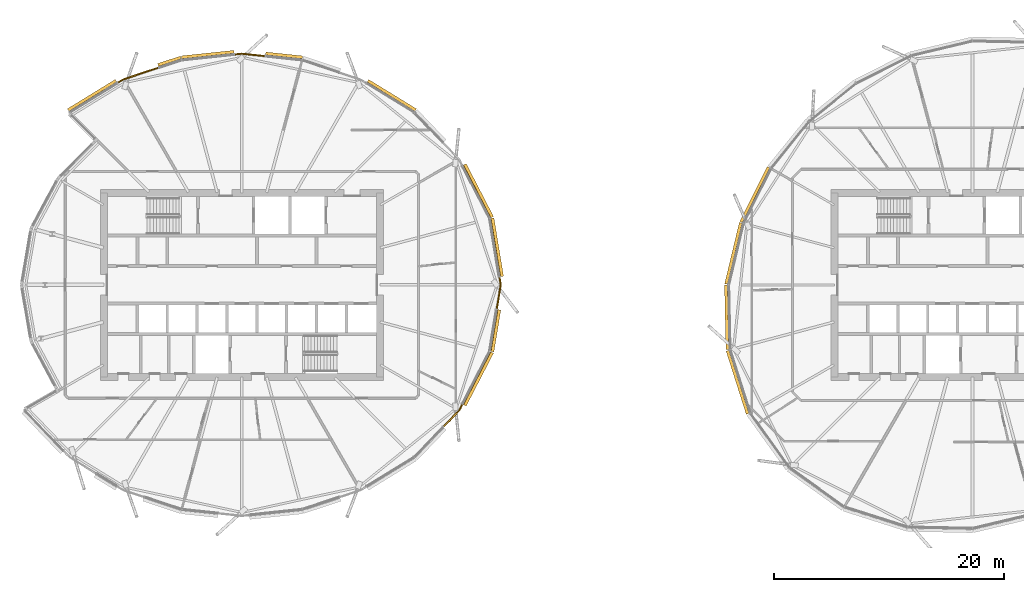
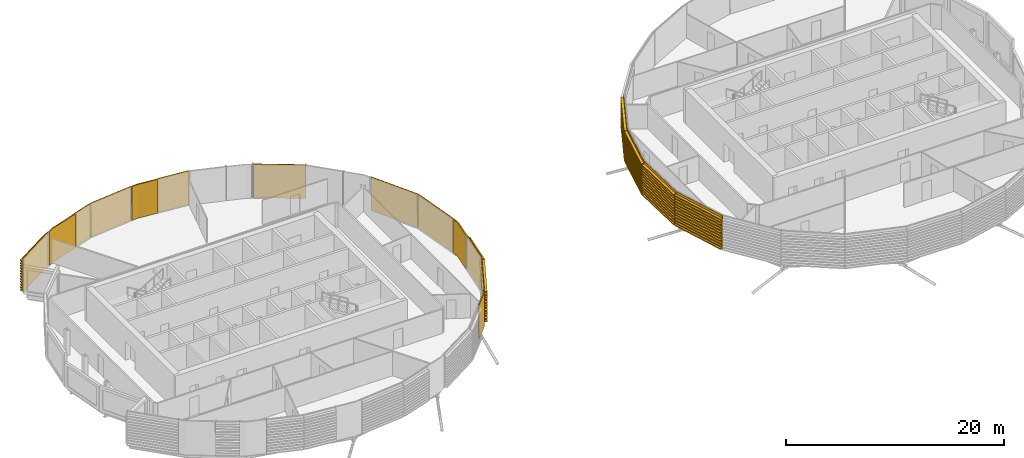
# One storey, part 34 of 37: 17 coverings.
"""IFC4 building model written with IfcOpenShell, lengths in metres."""

from ifc_helpers import new_model, si_unit, direction, frame, origin, place, context, subcontext, project, spatial, polyline, outline, extrude, material, layer, layer_set, material_profile, profile_set, type_object, element, save


model = new_model("IFC4")

# Units and contexts
model_context = context("Model", 3, precision=1e-05, world=origin(), true_north=direction((0.0, 1.0)))
body_context = subcontext(model_context, "Body", "Model", "MODEL_VIEW")
ifc_project = project(units=[si_unit("LENGTHUNIT", "METRE"), si_unit("AREAUNIT", "SQUARE_METRE"), si_unit("VOLUMEUNIT", "CUBIC_METRE"), si_unit("PLANEANGLEUNIT", "RADIAN"), si_unit("MASSUNIT", "GRAM", prefix="KILO")], contexts=[model_context])

# Site, building, storey
site_placement = place(None, origin())
site = spatial("IfcSite", under=ifc_project, at=site_placement, CompositionType="ELEMENT")
building_placement = place(site_placement, origin())
building = spatial("IfcBuilding", under=site, at=building_placement, Name="Rimbun Link Towers", CompositionType="ELEMENT")
storey_placement = place(building_placement, frame((0.0, 0.0, 166.5)))
storey = spatial("IfcBuildingStorey", under=building, at=storey_placement, Name="L40", CompositionType="ELEMENT", Elevation=166.5)

# Coverings
ifc_material_1 = material(Name="Terracotta", Category="masonry")
ifc_layer = layer(ifc_material_1, 0.1201171875)
ifc_layer_set = layer_set([ifc_layer], Name="LINK PIER terracotta cladding 120")
covering_type_1 = type_object("IfcCoveringType", Name="LINK PIER terracotta cladding 120", PredefinedType="CLADDING", material=ifc_layer_set)
covering_1_placement = place(storey_placement, origin())
element("IfcCovering", 1, at=covering_1_placement, inside=storey, type_object=covering_type_1, Name="LINK PIER cladding", PredefinedType="CLADDING", context=body_context, shape_type="SweptSolid", body=[
    extrude(outline(polyline([(-9.422607421875, 0.6611328125), (-9.31396484375, 0.0), (-9.657958984375, -2.091796875), (-9.53955078125, -2.111328125), (-9.1923828125, 0.0), (-9.30419921875, 0.6806640625), (-9.422607421875, 0.6611328125)])), origin(), (0.0, 0.0, 1.0), 3.800048828125),
])
covering_2_placement = place(storey_placement, origin())
element("IfcCovering", 2, at=covering_2_placement, inside=storey, type_object=covering_type_1, Name="LINK PIER cladding", PredefinedType="CLADDING", context=body_context, shape_type="SweptSolid", body=[
    extrude(outline(polyline([(-32.36669921875, 19.967041015625), (-31.75, 20.031982421875), (-29.7412109375, 19.820556640625), (-29.728515625, 19.93994140625), (-31.75, 20.15283203125), (-32.379150390625, 20.08642578125), (-32.36669921875, 19.967041015625)])), origin(), (0.0, 0.0, 1.0), 3.800048828125),
])
covering_3_placement = place(storey_placement, origin())
element("IfcCovering", 3, at=covering_3_placement, inside=storey, type_object=covering_type_1, Name="LINK PIER cladding", PredefinedType="CLADDING", context=body_context, shape_type="SweptSolid", body=[
    extrude(outline(polyline([(-42.515869140625, 17.50732421875), (-42.030029296875, 17.8056640625), (-38.9736328125, 18.818359375), (-39.01123046875, 18.932373046875), (-42.0810546875, 17.9150390625), (-42.57861328125, 17.609619140625), (-42.515869140625, 17.50732421875)])), origin(), (0.0, 0.0, 1.0), 3.800048828125),
])
covering_4_placement = place(storey_placement, origin())
element("IfcCovering", 4, at=covering_4_placement, inside=storey, type_object=covering_type_1, Name="LINK PIER cladding", PredefinedType="CLADDING", context=body_context, shape_type="SweptSolid", body=[
    extrude(outline(polyline([(-12.64794921875, -10.37109375), (-12.909912109375, -10.87744140625), (-14.273193359375, -12.299560546875), (-14.1865234375, -12.382568359375), (-12.811279296875, -10.947998046875), (-12.541259765625, -10.42626953125), (-12.64794921875, -10.37109375)])), origin(), (0.0, 0.0, 1.0), 3.800048828125),
])
ifc_material_2 = material(Name="Terracotta", Category="masonry")
ifc_material_profile = material_profile(ifc_material_2, outline(polyline([(0.123046875, 0.0), (0.1630859375, 0.0), (0.1630859375, 0.10009765625), (0.423095703125, 0.10009765625), (0.423095703125, 0.219970703125), (0.1630859375, 0.219970703125), (0.1630859375, 0.39990234375), (0.423095703125, 0.39990234375), (0.423095703125, 0.52001953125), (0.1630859375, 0.52001953125), (0.1630859375, 0.699951171875), (0.423095703125, 0.699951171875), (0.423095703125, 0.820068359375), (0.1630859375, 0.820068359375), (0.1630859375, 1.0), (0.423095703125, 1.0), (0.423095703125, 1.1201171875), (0.1630859375, 1.1201171875), (0.1630859375, 1.300048828125), (0.423095703125, 1.300048828125), (0.423095703125, 1.419921875), (0.1630859375, 1.419921875), (0.1630859375, 1.60009765625), (0.423095703125, 1.60009765625), (0.423095703125, 1.719970703125), (0.1630859375, 1.719970703125), (0.1630859375, 1.89990234375), (0.423095703125, 1.89990234375), (0.423095703125, 2.02001953125), (0.1630859375, 2.02001953125), (0.1630859375, 2.199951171875), (0.423095703125, 2.199951171875), (0.423095703125, 2.320068359375), (0.1630859375, 2.320068359375), (0.1630859375, 2.5), (0.423095703125, 2.5), (0.423095703125, 2.6201171875), (0.1630859375, 2.6201171875), (0.1630859375, 2.800048828125), (0.423095703125, 2.800048828125), (0.423095703125, 2.919921875), (0.1630859375, 2.919921875), (0.1630859375, 3.10009765625), (0.423095703125, 3.10009765625), (0.423095703125, 3.219970703125), (0.1630859375, 3.219970703125), (0.1630859375, 3.39990234375), (0.423095703125, 3.39990234375), (0.423095703125, 3.52001953125), (0.1630859375, 3.52001953125), (0.1630859375, 3.800048828125), (0.123046875, 3.800048828125), (0.123046875, 0.0)])), Name="BAGUETTE 120X300")
ifc_profile_set = profile_set([ifc_material_profile], Name="Terracotta")
covering_type_2 = type_object("IfcCoveringType", Name="TERRACOTTA BAGUETTE 120X300 H3800", PredefinedType="CLADDING", material=ifc_profile_set)
covering_5_placement = place(storey_placement, frame((-10.2607421875, 5.758056640625, 0.0), z_axis=(0.162255426092, -0.986748791083, 0.0), x_axis=(0.986748791083, 0.162255426092, 0.0)))
element("IfcCovering", 5, at=covering_5_placement, inside=storey, type_object=covering_type_2, Name="TERRACOTTA BAGUETTE", PredefinedType="CLADDING", context=body_context, shape_type="SweptSolid", body=[
    extrude(outline(polyline([(0.123046875, 0.0), (0.1630859375, 0.0), (0.1630859375, 0.10009765625), (0.423095703125, 0.10009765625), (0.423095703125, 0.219970703125), (0.1630859375, 0.219970703125), (0.1630859375, 0.39990234375), (0.423095703125, 0.39990234375), (0.423095703125, 0.52001953125), (0.1630859375, 0.52001953125), (0.1630859375, 0.699951171875), (0.423095703125, 0.699951171875), (0.423095703125, 0.820068359375), (0.1630859375, 0.820068359375), (0.1630859375, 1.0), (0.423095703125, 1.0), (0.423095703125, 1.1201171875), (0.1630859375, 1.1201171875), (0.1630859375, 1.300048828125), (0.423095703125, 1.300048828125), (0.423095703125, 1.419921875), (0.1630859375, 1.419921875), (0.1630859375, 1.60009765625), (0.423095703125, 1.60009765625), (0.423095703125, 1.719970703125), (0.1630859375, 1.719970703125), (0.1630859375, 1.89990234375), (0.423095703125, 1.89990234375), (0.423095703125, 2.02001953125), (0.1630859375, 2.02001953125), (0.1630859375, 2.199951171875), (0.423095703125, 2.199951171875), (0.423095703125, 2.320068359375), (0.1630859375, 2.320068359375), (0.1630859375, 2.5), (0.423095703125, 2.5), (0.423095703125, 2.6201171875), (0.1630859375, 2.6201171875), (0.1630859375, 2.800048828125), (0.423095703125, 2.800048828125), (0.423095703125, 2.919921875), (0.1630859375, 2.919921875), (0.1630859375, 3.10009765625), (0.423095703125, 3.10009765625), (0.423095703125, 3.219970703125), (0.1630859375, 3.219970703125), (0.1630859375, 3.39990234375), (0.423095703125, 3.39990234375), (0.423095703125, 3.52001953125), (0.1630859375, 3.52001953125), (0.1630859375, 3.800048828125), (0.123046875, 3.800048828125), (0.123046875, 0.0)])), origin(), (0.0, 0.0, 1.0), 5.135498046875),
])
covering_6_placement = place(storey_placement, frame((-12.634033203125, 10.344482421875, 0.0), z_axis=(0.459575962329, -0.888138466034, 0.0), x_axis=(0.888138466034, 0.459575962329, 0.0)))
element("IfcCovering", 6, at=covering_6_placement, inside=storey, type_object=covering_type_2, Name="TERRACOTTA BAGUETTE", PredefinedType="CLADDING", context=body_context, shape_type="SweptSolid", body=[
    extrude(outline(polyline([(0.123046875, 0.0), (0.1630859375, 0.0), (0.1630859375, 0.10009765625), (0.423095703125, 0.10009765625), (0.423095703125, 0.219970703125), (0.1630859375, 0.219970703125), (0.1630859375, 0.39990234375), (0.423095703125, 0.39990234375), (0.423095703125, 0.52001953125), (0.1630859375, 0.52001953125), (0.1630859375, 0.699951171875), (0.423095703125, 0.699951171875), (0.423095703125, 0.820068359375), (0.1630859375, 0.820068359375), (0.1630859375, 1.0), (0.423095703125, 1.0), (0.423095703125, 1.1201171875), (0.1630859375, 1.1201171875), (0.1630859375, 1.300048828125), (0.423095703125, 1.300048828125), (0.423095703125, 1.419921875), (0.1630859375, 1.419921875), (0.1630859375, 1.60009765625), (0.423095703125, 1.60009765625), (0.423095703125, 1.719970703125), (0.1630859375, 1.719970703125), (0.1630859375, 1.89990234375), (0.423095703125, 1.89990234375), (0.423095703125, 2.02001953125), (0.1630859375, 2.02001953125), (0.1630859375, 2.199951171875), (0.423095703125, 2.199951171875), (0.423095703125, 2.320068359375), (0.1630859375, 2.320068359375), (0.1630859375, 2.5), (0.423095703125, 2.5), (0.423095703125, 2.6201171875), (0.1630859375, 2.6201171875), (0.1630859375, 2.800048828125), (0.423095703125, 2.800048828125), (0.423095703125, 2.919921875), (0.1630859375, 2.919921875), (0.1630859375, 3.10009765625), (0.423095703125, 3.10009765625), (0.423095703125, 3.219970703125), (0.1630859375, 3.219970703125), (0.1630859375, 3.39990234375), (0.423095703125, 3.39990234375), (0.423095703125, 3.52001953125), (0.1630859375, 3.52001953125), (0.1630859375, 3.800048828125), (0.123046875, 3.800048828125), (0.123046875, 0.0)])), origin(), (0.0, 0.0, 1.0), 5.1640625),
])
covering_7_placement = place(storey_placement, frame((-20.95849609375, 17.49169921875, 0.0), z_axis=(0.852158679137, -0.523283465792, 0.0), x_axis=(0.523283465792, 0.852158679137, 0.0)))
element("IfcCovering", 7, at=covering_7_placement, inside=storey, type_object=covering_type_2, Name="TERRACOTTA BAGUETTE", PredefinedType="CLADDING", context=body_context, shape_type="SweptSolid", body=[
    extrude(outline(polyline([(0.123046875, 0.0), (0.1630859375, 0.0), (0.1630859375, 0.10009765625), (0.423095703125, 0.10009765625), (0.423095703125, 0.219970703125), (0.1630859375, 0.219970703125), (0.1630859375, 0.39990234375), (0.423095703125, 0.39990234375), (0.423095703125, 0.52001953125), (0.1630859375, 0.52001953125), (0.1630859375, 0.699951171875), (0.423095703125, 0.699951171875), (0.423095703125, 0.820068359375), (0.1630859375, 0.820068359375), (0.1630859375, 1.0), (0.423095703125, 1.0), (0.423095703125, 1.1201171875), (0.1630859375, 1.1201171875), (0.1630859375, 1.300048828125), (0.423095703125, 1.300048828125), (0.423095703125, 1.419921875), (0.1630859375, 1.419921875), (0.1630859375, 1.60009765625), (0.423095703125, 1.60009765625), (0.423095703125, 1.719970703125), (0.1630859375, 1.719970703125), (0.1630859375, 1.89990234375), (0.423095703125, 1.89990234375), (0.423095703125, 2.02001953125), (0.1630859375, 2.02001953125), (0.1630859375, 2.199951171875), (0.423095703125, 2.199951171875), (0.423095703125, 2.320068359375), (0.1630859375, 2.320068359375), (0.1630859375, 2.5), (0.423095703125, 2.5), (0.423095703125, 2.6201171875), (0.1630859375, 2.6201171875), (0.1630859375, 2.800048828125), (0.423095703125, 2.800048828125), (0.423095703125, 2.919921875), (0.1630859375, 2.919921875), (0.1630859375, 3.10009765625), (0.423095703125, 3.10009765625), (0.423095703125, 3.219970703125), (0.1630859375, 3.219970703125), (0.1630859375, 3.39990234375), (0.423095703125, 3.39990234375), (0.423095703125, 3.52001953125), (0.1630859375, 3.52001953125), (0.1630859375, 3.800048828125), (0.123046875, 3.800048828125), (0.123046875, 0.0)])), origin(), (0.0, 0.0, 1.0), 4.871337890625),
])
covering_8_placement = place(storey_placement, frame((-29.711181640625, 19.8173828125, 0.0), z_axis=(0.994502943543, -0.104708620869, 0.0), x_axis=(0.104708620869, 0.994502943543, 0.0)))
element("IfcCovering", 8, at=covering_8_placement, inside=storey, type_object=covering_type_2, Name="TERRACOTTA BAGUETTE", PredefinedType="CLADDING", context=body_context, shape_type="SweptSolid", body=[
    extrude(outline(polyline([(0.123046875, 0.0), (0.1630859375, 0.0), (0.1630859375, 0.10009765625), (0.423095703125, 0.10009765625), (0.423095703125, 0.219970703125), (0.1630859375, 0.219970703125), (0.1630859375, 0.39990234375), (0.423095703125, 0.39990234375), (0.423095703125, 0.52001953125), (0.1630859375, 0.52001953125), (0.1630859375, 0.699951171875), (0.423095703125, 0.699951171875), (0.423095703125, 0.820068359375), (0.1630859375, 0.820068359375), (0.1630859375, 1.0), (0.423095703125, 1.0), (0.423095703125, 1.1201171875), (0.1630859375, 1.1201171875), (0.1630859375, 1.300048828125), (0.423095703125, 1.300048828125), (0.423095703125, 1.419921875), (0.1630859375, 1.419921875), (0.1630859375, 1.60009765625), (0.423095703125, 1.60009765625), (0.423095703125, 1.719970703125), (0.1630859375, 1.719970703125), (0.1630859375, 1.89990234375), (0.423095703125, 1.89990234375), (0.423095703125, 2.02001953125), (0.1630859375, 2.02001953125), (0.1630859375, 2.199951171875), (0.423095703125, 2.199951171875), (0.423095703125, 2.320068359375), (0.1630859375, 2.320068359375), (0.1630859375, 2.5), (0.423095703125, 2.5), (0.423095703125, 2.6201171875), (0.1630859375, 2.6201171875), (0.1630859375, 2.800048828125), (0.423095703125, 2.800048828125), (0.423095703125, 2.919921875), (0.1630859375, 2.919921875), (0.1630859375, 3.10009765625), (0.423095703125, 3.10009765625), (0.423095703125, 3.219970703125), (0.1630859375, 3.219970703125), (0.1630859375, 3.39990234375), (0.423095703125, 3.39990234375), (0.423095703125, 3.52001953125), (0.1630859375, 3.52001953125), (0.1630859375, 3.800048828125), (0.123046875, 3.800048828125), (0.123046875, 0.0)])), origin(), (0.0, 0.0, 1.0), 3.198974609375),
])
covering_9_placement = place(storey_placement, frame((-36.97021484375, 19.482421875, 0.0), z_axis=(0.994499924847, 0.104737287911, 0.0), x_axis=(-0.104737287911, 0.994499924847, 0.0)))
element("IfcCovering", 9, at=covering_9_placement, inside=storey, type_object=covering_type_2, Name="TERRACOTTA BAGUETTE", PredefinedType="CLADDING", context=body_context, shape_type="SweptSolid", body=[
    extrude(outline(polyline([(0.123046875, 0.0), (0.1630859375, 0.0), (0.1630859375, 0.10009765625), (0.423095703125, 0.10009765625), (0.423095703125, 0.219970703125), (0.1630859375, 0.219970703125), (0.1630859375, 0.39990234375), (0.423095703125, 0.39990234375), (0.423095703125, 0.52001953125), (0.1630859375, 0.52001953125), (0.1630859375, 0.699951171875), (0.423095703125, 0.699951171875), (0.423095703125, 0.820068359375), (0.1630859375, 0.820068359375), (0.1630859375, 1.0), (0.423095703125, 1.0), (0.423095703125, 1.1201171875), (0.1630859375, 1.1201171875), (0.1630859375, 1.300048828125), (0.423095703125, 1.300048828125), (0.423095703125, 1.419921875), (0.1630859375, 1.419921875), (0.1630859375, 1.60009765625), (0.423095703125, 1.60009765625), (0.423095703125, 1.719970703125), (0.1630859375, 1.719970703125), (0.1630859375, 1.89990234375), (0.423095703125, 1.89990234375), (0.423095703125, 2.02001953125), (0.1630859375, 2.02001953125), (0.1630859375, 2.199951171875), (0.423095703125, 2.199951171875), (0.423095703125, 2.320068359375), (0.1630859375, 2.320068359375), (0.1630859375, 2.5), (0.423095703125, 2.5), (0.423095703125, 2.6201171875), (0.1630859375, 2.6201171875), (0.1630859375, 2.800048828125), (0.423095703125, 2.800048828125), (0.423095703125, 2.919921875), (0.1630859375, 2.919921875), (0.1630859375, 3.10009765625), (0.423095703125, 3.10009765625), (0.423095703125, 3.219970703125), (0.1630859375, 3.219970703125), (0.1630859375, 3.39990234375), (0.423095703125, 3.39990234375), (0.423095703125, 3.52001953125), (0.1630859375, 3.52001953125), (0.1630859375, 3.800048828125), (0.123046875, 3.800048828125), (0.123046875, 0.0)])), origin(), (0.0, 0.0, 1.0), 4.59912109375),
])
covering_10_placement = place(storey_placement, frame((-38.945068359375, 18.827880859375, 0.0), z_axis=(0.949221713149, 0.31460791358, 0.0), x_axis=(-0.31460791358, 0.949221713149, 0.0)))
element("IfcCovering", 10, at=covering_10_placement, inside=storey, type_object=covering_type_2, Name="TERRACOTTA BAGUETTE", PredefinedType="CLADDING", context=body_context, shape_type="SweptSolid", body=[
    extrude(outline(polyline([(0.123046875, 0.0), (0.1630859375, 0.0), (0.1630859375, 0.10009765625), (0.423095703125, 0.10009765625), (0.423095703125, 0.219970703125), (0.1630859375, 0.219970703125), (0.1630859375, 0.39990234375), (0.423095703125, 0.39990234375), (0.423095703125, 0.52001953125), (0.1630859375, 0.52001953125), (0.1630859375, 0.699951171875), (0.423095703125, 0.699951171875), (0.423095703125, 0.820068359375), (0.1630859375, 0.820068359375), (0.1630859375, 1.0), (0.423095703125, 1.0), (0.423095703125, 1.1201171875), (0.1630859375, 1.1201171875), (0.1630859375, 1.300048828125), (0.423095703125, 1.300048828125), (0.423095703125, 1.419921875), (0.1630859375, 1.419921875), (0.1630859375, 1.60009765625), (0.423095703125, 1.60009765625), (0.423095703125, 1.719970703125), (0.1630859375, 1.719970703125), (0.1630859375, 1.89990234375), (0.423095703125, 1.89990234375), (0.423095703125, 2.02001953125), (0.1630859375, 2.02001953125), (0.1630859375, 2.199951171875), (0.423095703125, 2.199951171875), (0.423095703125, 2.320068359375), (0.1630859375, 2.320068359375), (0.1630859375, 2.5), (0.423095703125, 2.5), (0.423095703125, 2.6201171875), (0.1630859375, 2.6201171875), (0.1630859375, 2.800048828125), (0.423095703125, 2.800048828125), (0.423095703125, 2.919921875), (0.1630859375, 2.919921875), (0.1630859375, 3.10009765625), (0.423095703125, 3.10009765625), (0.423095703125, 3.219970703125), (0.1630859375, 3.219970703125), (0.1630859375, 3.39990234375), (0.423095703125, 3.39990234375), (0.423095703125, 3.52001953125), (0.1630859375, 3.52001953125), (0.1630859375, 3.800048828125), (0.123046875, 3.800048828125), (0.123046875, 0.0)])), origin(), (0.0, 0.0, 1.0), 2.08056640625),
])
covering_11_placement = place(storey_placement, frame((-46.692626953125, 14.942626953125, 0.0), z_axis=(0.852158679137, 0.523283465792, 0.0), x_axis=(-0.523283465792, 0.852158679137, 0.0)))
element("IfcCovering", 11, at=covering_11_placement, inside=storey, type_object=covering_type_2, Name="TERRACOTTA BAGUETTE", PredefinedType="CLADDING", context=body_context, shape_type="SweptSolid", body=[
    extrude(outline(polyline([(0.123046875, 0.0), (0.1630859375, 0.0), (0.1630859375, 0.10009765625), (0.423095703125, 0.10009765625), (0.423095703125, 0.219970703125), (0.1630859375, 0.219970703125), (0.1630859375, 0.39990234375), (0.423095703125, 0.39990234375), (0.423095703125, 0.52001953125), (0.1630859375, 0.52001953125), (0.1630859375, 0.699951171875), (0.423095703125, 0.699951171875), (0.423095703125, 0.820068359375), (0.1630859375, 0.820068359375), (0.1630859375, 1.0), (0.423095703125, 1.0), (0.423095703125, 1.1201171875), (0.1630859375, 1.1201171875), (0.1630859375, 1.300048828125), (0.423095703125, 1.300048828125), (0.423095703125, 1.419921875), (0.1630859375, 1.419921875), (0.1630859375, 1.60009765625), (0.423095703125, 1.60009765625), (0.423095703125, 1.719970703125), (0.1630859375, 1.719970703125), (0.1630859375, 1.89990234375), (0.423095703125, 1.89990234375), (0.423095703125, 2.02001953125), (0.1630859375, 2.02001953125), (0.1630859375, 2.199951171875), (0.423095703125, 2.199951171875), (0.423095703125, 2.320068359375), (0.1630859375, 2.320068359375), (0.1630859375, 2.5), (0.423095703125, 2.5), (0.423095703125, 2.6201171875), (0.1630859375, 2.6201171875), (0.1630859375, 2.800048828125), (0.423095703125, 2.800048828125), (0.423095703125, 2.919921875), (0.1630859375, 2.919921875), (0.1630859375, 3.10009765625), (0.423095703125, 3.10009765625), (0.423095703125, 3.219970703125), (0.1630859375, 3.219970703125), (0.1630859375, 3.39990234375), (0.423095703125, 3.39990234375), (0.423095703125, 3.52001953125), (0.1630859375, 3.52001953125), (0.1630859375, 3.800048828125), (0.123046875, 3.800048828125), (0.123046875, 0.0)])), origin(), (0.0, 0.0, 1.0), 4.871337890625),
])
covering_12_placement = place(storey_placement, frame((-10.2607421875, -5.758056640625, 0.0), z_axis=(-0.459575962329, -0.888138466034, 0.0), x_axis=(0.888138466034, -0.459575962329, 0.0)))
element("IfcCovering", 12, at=covering_12_placement, inside=storey, type_object=covering_type_2, Name="TERRACOTTA BAGUETTE", PredefinedType="CLADDING", context=body_context, shape_type="SweptSolid", body=[
    extrude(outline(polyline([(0.123046875, 0.0), (0.1630859375, 0.0), (0.1630859375, 0.10009765625), (0.423095703125, 0.10009765625), (0.423095703125, 0.219970703125), (0.1630859375, 0.219970703125), (0.1630859375, 0.39990234375), (0.423095703125, 0.39990234375), (0.423095703125, 0.52001953125), (0.1630859375, 0.52001953125), (0.1630859375, 0.699951171875), (0.423095703125, 0.699951171875), (0.423095703125, 0.820068359375), (0.1630859375, 0.820068359375), (0.1630859375, 1.0), (0.423095703125, 1.0), (0.423095703125, 1.1201171875), (0.1630859375, 1.1201171875), (0.1630859375, 1.300048828125), (0.423095703125, 1.300048828125), (0.423095703125, 1.419921875), (0.1630859375, 1.419921875), (0.1630859375, 1.60009765625), (0.423095703125, 1.60009765625), (0.423095703125, 1.719970703125), (0.1630859375, 1.719970703125), (0.1630859375, 1.89990234375), (0.423095703125, 1.89990234375), (0.423095703125, 2.02001953125), (0.1630859375, 2.02001953125), (0.1630859375, 2.199951171875), (0.423095703125, 2.199951171875), (0.423095703125, 2.320068359375), (0.1630859375, 2.320068359375), (0.1630859375, 2.5), (0.423095703125, 2.5), (0.423095703125, 2.6201171875), (0.1630859375, 2.6201171875), (0.1630859375, 2.800048828125), (0.423095703125, 2.800048828125), (0.423095703125, 2.919921875), (0.1630859375, 2.919921875), (0.1630859375, 3.10009765625), (0.423095703125, 3.10009765625), (0.423095703125, 3.219970703125), (0.1630859375, 3.219970703125), (0.1630859375, 3.39990234375), (0.423095703125, 3.39990234375), (0.423095703125, 3.52001953125), (0.1630859375, 3.52001953125), (0.1630859375, 3.800048828125), (0.123046875, 3.800048828125), (0.123046875, 0.0)])), origin(), (0.0, 0.0, 1.0), 5.1640625),
])
covering_13_placement = place(storey_placement, frame((-9.662841796875, -2.12158203125, 0.0), z_axis=(-0.162239294084, -0.986751443604, 0.0), x_axis=(0.986751443604, -0.162239294084, 0.0)))
element("IfcCovering", 13, at=covering_13_placement, inside=storey, type_object=covering_type_2, Name="TERRACOTTA BAGUETTE", PredefinedType="CLADDING", context=body_context, shape_type="SweptSolid", body=[
    extrude(outline(polyline([(0.123046875, 0.0), (0.1630859375, 0.0), (0.1630859375, 0.10009765625), (0.423095703125, 0.10009765625), (0.423095703125, 0.219970703125), (0.1630859375, 0.219970703125), (0.1630859375, 0.39990234375), (0.423095703125, 0.39990234375), (0.423095703125, 0.52001953125), (0.1630859375, 0.52001953125), (0.1630859375, 0.699951171875), (0.423095703125, 0.699951171875), (0.423095703125, 0.820068359375), (0.1630859375, 0.820068359375), (0.1630859375, 1.0), (0.423095703125, 1.0), (0.423095703125, 1.1201171875), (0.1630859375, 1.1201171875), (0.1630859375, 1.300048828125), (0.423095703125, 1.300048828125), (0.423095703125, 1.419921875), (0.1630859375, 1.419921875), (0.1630859375, 1.60009765625), (0.423095703125, 1.60009765625), (0.423095703125, 1.719970703125), (0.1630859375, 1.719970703125), (0.1630859375, 1.89990234375), (0.423095703125, 1.89990234375), (0.423095703125, 2.02001953125), (0.1630859375, 2.02001953125), (0.1630859375, 2.199951171875), (0.423095703125, 2.199951171875), (0.423095703125, 2.320068359375), (0.1630859375, 2.320068359375), (0.1630859375, 2.5), (0.423095703125, 2.5), (0.423095703125, 2.6201171875), (0.1630859375, 2.6201171875), (0.1630859375, 2.800048828125), (0.423095703125, 2.800048828125), (0.423095703125, 2.919921875), (0.1630859375, 2.919921875), (0.1630859375, 3.10009765625), (0.423095703125, 3.10009765625), (0.423095703125, 3.219970703125), (0.1630859375, 3.219970703125), (0.1630859375, 3.39990234375), (0.423095703125, 3.39990234375), (0.423095703125, 3.52001953125), (0.1630859375, 3.52001953125), (0.1630859375, 3.800048828125), (0.123046875, 3.800048828125), (0.123046875, 0.0)])), origin(), (0.0, 0.0, 1.0), 3.685302734375),
])
covering_14_placement = place(storey_placement, frame((11.890380859375, 5.3212890625, 0.0), z_axis=(0.448806770058, 0.893628828513, 0.0), x_axis=(-0.893628828513, 0.448806770058, 0.0)))
element("IfcCovering", 14, at=covering_14_placement, inside=storey, type_object=covering_type_2, Name="TERRACOTTA BAGUETTE", PredefinedType="CLADDING", context=body_context, shape_type="SweptSolid", body=[
    extrude(outline(polyline([(0.123046875, 0.0), (0.1630859375, 0.0), (0.1630859375, 0.10009765625), (0.423095703125, 0.10009765625), (0.423095703125, 0.219970703125), (0.1630859375, 0.219970703125), (0.1630859375, 0.39990234375), (0.423095703125, 0.39990234375), (0.423095703125, 0.52001953125), (0.1630859375, 0.52001953125), (0.1630859375, 0.699951171875), (0.423095703125, 0.699951171875), (0.423095703125, 0.820068359375), (0.1630859375, 0.820068359375), (0.1630859375, 1.0), (0.423095703125, 1.0), (0.423095703125, 1.1201171875), (0.1630859375, 1.1201171875), (0.1630859375, 1.300048828125), (0.423095703125, 1.300048828125), (0.423095703125, 1.419921875), (0.1630859375, 1.419921875), (0.1630859375, 1.60009765625), (0.423095703125, 1.60009765625), (0.423095703125, 1.719970703125), (0.1630859375, 1.719970703125), (0.1630859375, 1.89990234375), (0.423095703125, 1.89990234375), (0.423095703125, 2.02001953125), (0.1630859375, 2.02001953125), (0.1630859375, 2.199951171875), (0.423095703125, 2.199951171875), (0.423095703125, 2.320068359375), (0.1630859375, 2.320068359375), (0.1630859375, 2.5), (0.423095703125, 2.5), (0.423095703125, 2.6201171875), (0.1630859375, 2.6201171875), (0.1630859375, 2.800048828125), (0.423095703125, 2.800048828125), (0.423095703125, 2.919921875), (0.1630859375, 2.919921875), (0.1630859375, 3.10009765625), (0.423095703125, 3.10009765625), (0.423095703125, 3.219970703125), (0.1630859375, 3.219970703125), (0.1630859375, 3.39990234375), (0.423095703125, 3.39990234375), (0.423095703125, 3.52001953125), (0.1630859375, 3.52001953125), (0.1630859375, 3.800048828125), (0.123046875, 3.800048828125), (0.123046875, 0.0)])), origin(), (0.0, 0.0, 1.0), 5.330322265625),
])
covering_15_placement = place(storey_placement, frame((10.617919921875, 0.0, 0.0), z_axis=(0.232569542931, 0.972579769325, 0.0), x_axis=(-0.972579769325, 0.232569542931, 0.0)))
element("IfcCovering", 15, at=covering_15_placement, inside=storey, type_object=covering_type_2, Name="TERRACOTTA BAGUETTE", PredefinedType="CLADDING", context=body_context, shape_type="SweptSolid", body=[
    extrude(outline(polyline([(0.123046875, 0.0), (0.1630859375, 0.0), (0.1630859375, 0.10009765625), (0.423095703125, 0.10009765625), (0.423095703125, 0.219970703125), (0.1630859375, 0.219970703125), (0.1630859375, 0.39990234375), (0.423095703125, 0.39990234375), (0.423095703125, 0.52001953125), (0.1630859375, 0.52001953125), (0.1630859375, 0.699951171875), (0.423095703125, 0.699951171875), (0.423095703125, 0.820068359375), (0.1630859375, 0.820068359375), (0.1630859375, 1.0), (0.423095703125, 1.0), (0.423095703125, 1.1201171875), (0.1630859375, 1.1201171875), (0.1630859375, 1.300048828125), (0.423095703125, 1.300048828125), (0.423095703125, 1.419921875), (0.1630859375, 1.419921875), (0.1630859375, 1.60009765625), (0.423095703125, 1.60009765625), (0.423095703125, 1.719970703125), (0.1630859375, 1.719970703125), (0.1630859375, 1.89990234375), (0.423095703125, 1.89990234375), (0.423095703125, 2.02001953125), (0.1630859375, 2.02001953125), (0.1630859375, 2.199951171875), (0.423095703125, 2.199951171875), (0.423095703125, 2.320068359375), (0.1630859375, 2.320068359375), (0.1630859375, 2.5), (0.423095703125, 2.5), (0.423095703125, 2.6201171875), (0.1630859375, 2.6201171875), (0.1630859375, 2.800048828125), (0.423095703125, 2.800048828125), (0.423095703125, 2.919921875), (0.1630859375, 2.919921875), (0.1630859375, 3.10009765625), (0.423095703125, 3.10009765625), (0.423095703125, 3.219970703125), (0.1630859375, 3.219970703125), (0.1630859375, 3.39990234375), (0.423095703125, 3.39990234375), (0.423095703125, 3.52001953125), (0.1630859375, 3.52001953125), (0.1630859375, 3.800048828125), (0.123046875, 3.800048828125), (0.123046875, 0.0)])), origin(), (0.0, 0.0, 1.0), 5.471435546875),
])
covering_16_placement = place(storey_placement, frame((10.736328125, -5.630615234375, 0.0), z_axis=(-0.021024705974, 0.999778956439, 0.0), x_axis=(-0.999778956439, -0.021024705974, 0.0)))
element("IfcCovering", 16, at=covering_16_placement, inside=storey, type_object=covering_type_2, Name="TERRACOTTA BAGUETTE", PredefinedType="CLADDING", context=body_context, shape_type="SweptSolid", body=[
    extrude(outline(polyline([(0.123046875, 0.0), (0.1630859375, 0.0), (0.1630859375, 0.10009765625), (0.423095703125, 0.10009765625), (0.423095703125, 0.219970703125), (0.1630859375, 0.219970703125), (0.1630859375, 0.39990234375), (0.423095703125, 0.39990234375), (0.423095703125, 0.52001953125), (0.1630859375, 0.52001953125), (0.1630859375, 0.699951171875), (0.423095703125, 0.699951171875), (0.423095703125, 0.820068359375), (0.1630859375, 0.820068359375), (0.1630859375, 1.0), (0.423095703125, 1.0), (0.423095703125, 1.1201171875), (0.1630859375, 1.1201171875), (0.1630859375, 1.300048828125), (0.423095703125, 1.300048828125), (0.423095703125, 1.419921875), (0.1630859375, 1.419921875), (0.1630859375, 1.60009765625), (0.423095703125, 1.60009765625), (0.423095703125, 1.719970703125), (0.1630859375, 1.719970703125), (0.1630859375, 1.89990234375), (0.423095703125, 1.89990234375), (0.423095703125, 2.02001953125), (0.1630859375, 2.02001953125), (0.1630859375, 2.199951171875), (0.423095703125, 2.199951171875), (0.423095703125, 2.320068359375), (0.1630859375, 2.320068359375), (0.1630859375, 2.5), (0.423095703125, 2.5), (0.423095703125, 2.6201171875), (0.1630859375, 2.6201171875), (0.1630859375, 2.800048828125), (0.423095703125, 2.800048828125), (0.423095703125, 2.919921875), (0.1630859375, 2.919921875), (0.1630859375, 3.10009765625), (0.423095703125, 3.10009765625), (0.423095703125, 3.219970703125), (0.1630859375, 3.219970703125), (0.1630859375, 3.39990234375), (0.423095703125, 3.39990234375), (0.423095703125, 3.52001953125), (0.1630859375, 3.52001953125), (0.1630859375, 3.800048828125), (0.123046875, 3.800048828125), (0.123046875, 0.0)])), origin(), (0.0, 0.0, 1.0), 5.6318359375),
])
covering_17_placement = place(storey_placement, frame((12.4833984375, -11.12353515625, 0.0), z_axis=(-0.303097011328, 0.952959706244, 0.0), x_axis=(-0.952959706244, -0.303097011328, 0.0)))
element("IfcCovering", 17, at=covering_17_placement, inside=storey, type_object=covering_type_2, Name="TERRACOTTA BAGUETTE", PredefinedType="CLADDING", context=body_context, shape_type="SweptSolid", body=[
    extrude(outline(polyline([(0.123046875, 0.0), (0.1630859375, 0.0), (0.1630859375, 0.10009765625), (0.423095703125, 0.10009765625), (0.423095703125, 0.219970703125), (0.1630859375, 0.219970703125), (0.1630859375, 0.39990234375), (0.423095703125, 0.39990234375), (0.423095703125, 0.52001953125), (0.1630859375, 0.52001953125), (0.1630859375, 0.699951171875), (0.423095703125, 0.699951171875), (0.423095703125, 0.820068359375), (0.1630859375, 0.820068359375), (0.1630859375, 1.0), (0.423095703125, 1.0), (0.423095703125, 1.1201171875), (0.1630859375, 1.1201171875), (0.1630859375, 1.300048828125), (0.423095703125, 1.300048828125), (0.423095703125, 1.419921875), (0.1630859375, 1.419921875), (0.1630859375, 1.60009765625), (0.423095703125, 1.60009765625), (0.423095703125, 1.719970703125), (0.1630859375, 1.719970703125), (0.1630859375, 1.89990234375), (0.423095703125, 1.89990234375), (0.423095703125, 2.02001953125), (0.1630859375, 2.02001953125), (0.1630859375, 2.199951171875), (0.423095703125, 2.199951171875), (0.423095703125, 2.320068359375), (0.1630859375, 2.320068359375), (0.1630859375, 2.5), (0.423095703125, 2.5), (0.423095703125, 2.6201171875), (0.1630859375, 2.6201171875), (0.1630859375, 2.800048828125), (0.423095703125, 2.800048828125), (0.423095703125, 2.919921875), (0.1630859375, 2.919921875), (0.1630859375, 3.10009765625), (0.423095703125, 3.10009765625), (0.423095703125, 3.219970703125), (0.1630859375, 3.219970703125), (0.1630859375, 3.39990234375), (0.423095703125, 3.39990234375), (0.423095703125, 3.52001953125), (0.1630859375, 3.52001953125), (0.1630859375, 3.800048828125), (0.123046875, 3.800048828125), (0.123046875, 0.0)])), origin(), (0.0, 0.0, 1.0), 5.76416015625),
])

save(model, "model.ifc")
